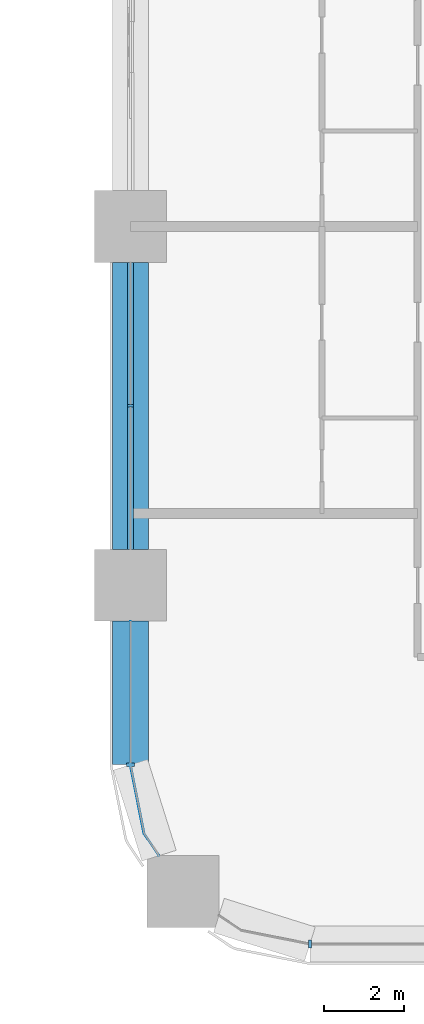
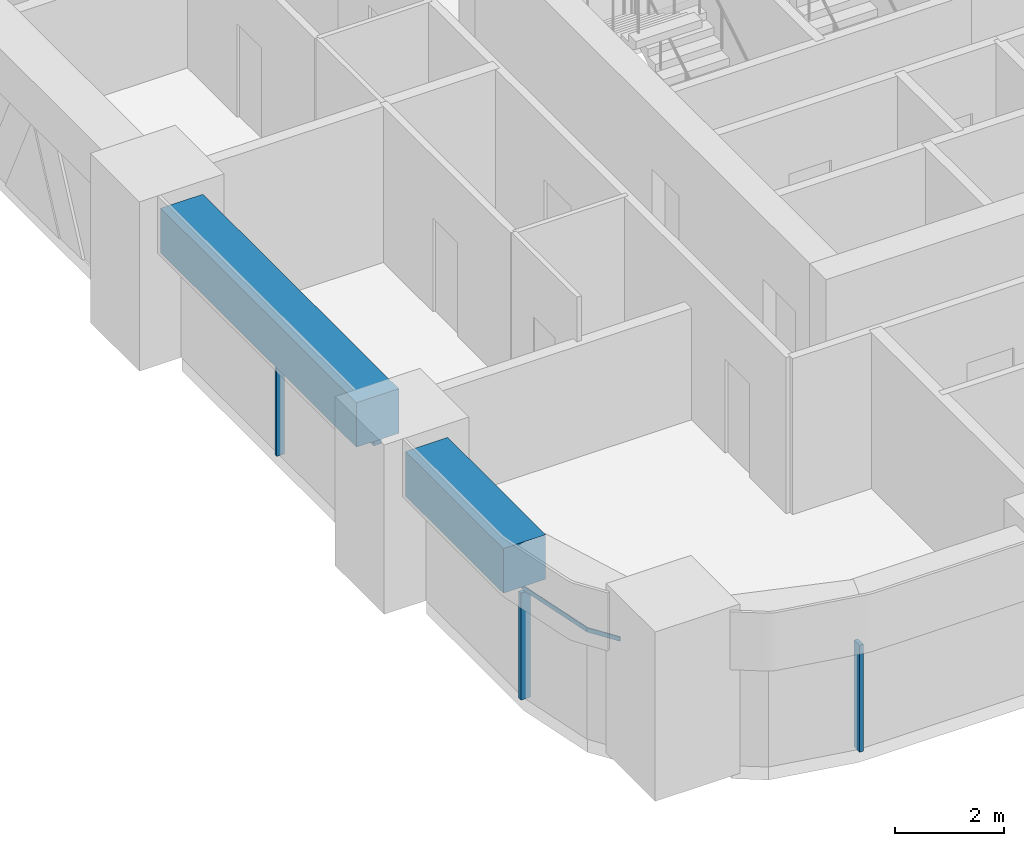
# One storey, part 2 of 24: 5 members, 2 beams, 3 elements without a shape of their own.
"""IFC4 building model written with IfcOpenShell, lengths in metres."""

import ifcopenshell
import ifcopenshell.guid

model = None  # the IFC model being written
_history = None  # IfcOwnerHistory: only IFC2X3 demands one
_inside = {}  # id of a spatial element -> (the spatial element, [elements in it])
_under = {}  # id of a project, library or spatial element -> (it, [spatial elements below it])
_declared = {}  # id of a project -> (the project, [libraries it declares])
_typed = {}  # id of a type object -> (the type object, [elements of that type])
_made_of = {}  # id of a material, layer set ... -> (it, [elements and type objects made of it])


def new_model(schema):
    """Start an empty IFC model of exactly this schema.

    Asked for "IFC4X3", IfcOpenShell would pick the latest addendum, in which some entities
    have other attributes; the version numbers below select the first issue.
    IFC2X3 requires an IfcOwnerHistory on every rooted entity: one is made here for all.
    """
    global model, _history
    if schema == "IFC4X3":
        model = ifcopenshell.file(schema_version=(4, 3, 0, 0))
    else:
        model = ifcopenshell.file(schema=schema)
    _inside.clear()
    _under.clear()
    _declared.clear()
    _typed.clear()
    _made_of.clear()
    _history = None
    if model.schema == "IFC2X3":
        org = make("IfcOrganization", Name="unknown")
        user = make(
            "IfcPersonAndOrganization",
            ThePerson=make("IfcPerson", FamilyName="unknown"),
            TheOrganization=org,
        )
        app = make(
            "IfcApplication",
            ApplicationDeveloper=org,
            Version="unknown",
            ApplicationFullName="unknown",
            ApplicationIdentifier="unknown",
        )
        _history = make(
            "IfcOwnerHistory",
            OwningUser=user,
            OwningApplication=app,
            ChangeAction="ADDED",
            CreationDate=0,
        )
    return model


def make(cls, **values):
    """One entity of the class cls with the attributes given. An attribute that is None is left unset."""
    return model.create_entity(
        cls, **{name: value for name, value in values.items() if value is not None}
    )


def rooted(cls, **values):
    """An entity with a GlobalId (a new one), such as an element, a storey or a relation."""
    return make(cls, GlobalId=ifcopenshell.guid.new(), OwnerHistory=_history, **values)


def si_unit(unit_type, name, prefix=None):
    """IfcSIUnit, for example si_unit("LENGTHUNIT", "METRE", prefix="MILLI")."""
    return make("IfcSIUnit", UnitType=unit_type, Prefix=prefix, Name=name)


def assignment(units):
    """IfcUnitAssignment: the units of a project."""
    return None if units is None else make("IfcUnitAssignment", Units=units)


def point(xyz):
    """IfcCartesianPoint."""
    return None if xyz is None else make("IfcCartesianPoint", Coordinates=xyz)


def direction(xyz):
    """IfcDirection."""
    return None if xyz is None else make("IfcDirection", DirectionRatios=xyz)


def frame(location, z_axis=None, x_axis=None):
    """IfcAxis2Placement3D, a coordinate frame: its origin and axes. An axis left out is left unset."""
    return make(
        "IfcAxis2Placement3D",
        Location=point(location),
        Axis=direction(z_axis),
        RefDirection=direction(x_axis),
    )


def frame_2d(location, x_axis=None):
    """IfcAxis2Placement2D, a coordinate frame in the plane: its origin and x axis."""
    return make(
        "IfcAxis2Placement2D", Location=point(location), RefDirection=direction(x_axis)
    )


def origin():
    """The frame at (0, 0, 0) with its axes left unset."""
    return frame((0.0, 0.0, 0.0))


def origin_2d():
    """The frame at (0, 0) in the plane with its x axis left unset."""
    return frame_2d((0.0, 0.0))


def place(relative_to, where):
    """IfcLocalPlacement: puts the frame where relative to a parent placement (None: the world)."""
    return make(
        "IfcLocalPlacement", PlacementRelTo=relative_to, RelativePlacement=where
    )


def context(
    kind, dimensions, precision=None, world=None, true_north=None, identifier=None
):
    """IfcGeometricRepresentationContext, for example the 3D "Model" context."""
    return make(
        "IfcGeometricRepresentationContext",
        ContextIdentifier=identifier,
        ContextType=kind,
        CoordinateSpaceDimension=dimensions,
        Precision=precision,
        WorldCoordinateSystem=world,
        TrueNorth=true_north,
    )


def subcontext(parent, identifier, kind, view, scale=None):
    """IfcGeometricRepresentationSubContext, for example "Body" below "Model"."""
    return make(
        "IfcGeometricRepresentationSubContext",
        ContextIdentifier=identifier,
        ContextType=kind,
        ParentContext=parent,
        TargetScale=scale,
        TargetView=view,
    )


def project(units=None, contexts=None):
    """IfcProject with its units and contexts."""
    return rooted(
        "IfcProject",
        Name="project",
        RepresentationContexts=contexts,
        UnitsInContext=assignment(units),
    )


def spatial(cls, under=None, at=None, **own):
    """A site, building, storey or space (cls), placed at a placement, below another one or the project."""
    s = rooted(cls, ObjectPlacement=at, **own)
    if under is not None:
        _under.setdefault(under.id(), (under, []))[1].append(s)
    return s


def polyline(points):
    """IfcPolyline through the points."""
    return make("IfcPolyline", Points=[point(p) for p in points])


def profile(cls, at=None, kind="AREA", **sizes):
    """A parametric profile (cls). Its sizes go by their IFC names, for example OverallWidth=200.0."""
    return make(cls, ProfileType=kind, Position=at, **sizes)


def rectangle(**sizes):
    """IfcRectangleProfileDef."""
    return profile("IfcRectangleProfileDef", **sizes)


def outline(outer, holes=None, kind="AREA"):
    """IfcArbitraryClosedProfileDef: a profile drawn as a closed curve; with holes, ...WithVoids."""
    if holes is None:
        return make("IfcArbitraryClosedProfileDef", ProfileType=kind, OuterCurve=outer)
    return make(
        "IfcArbitraryProfileDefWithVoids",
        ProfileType=kind,
        OuterCurve=outer,
        InnerCurves=holes,
    )


def extrude(swept, where, along, depth):
    """IfcExtrudedAreaSolid: the profile swept, set in the frame where, extruded along a direction by depth."""
    return make(
        "IfcExtrudedAreaSolid",
        SweptArea=swept,
        Position=where,
        ExtrudedDirection=direction(along),
        Depth=depth,
    )


def shape(context_of_items, identifier, shape_type, items):
    """IfcShapeRepresentation: the items that make up one representation, for example the "Body"."""
    return make(
        "IfcShapeRepresentation",
        ContextOfItems=context_of_items,
        RepresentationIdentifier=identifier,
        RepresentationType=shape_type,
        Items=items,
    )


def material(Name=None, Category=None):
    """IfcMaterial."""
    return make("IfcMaterial", Name=Name, Category=Category)


def material_profile(
    of_material, cross_section, Name=None, Category=None, Priority=None
):
    """IfcMaterialProfile: a cross section and its material."""
    return make(
        "IfcMaterialProfile",
        Name=Name,
        Material=of_material,
        Profile=cross_section,
        Priority=Priority,
        Category=Category,
    )


def profile_set(profiles, Name=None, composite=None):
    """IfcMaterialProfileSet."""
    return make(
        "IfcMaterialProfileSet",
        Name=Name,
        MaterialProfiles=profiles,
        CompositeProfile=composite,
    )


def made_of(thing, what):
    """Note that an element or type object is made of a material, layer set ...; save() writes the relation."""
    if what is not None:
        _made_of.setdefault(what.id(), (what, []))[1].append(thing)
    return thing


def type_object(cls, material=None, **own):
    """A type object (cls), such as IfcWallType, which elements share."""
    return made_of(rooted(cls, **own), material)


def element(
    cls,
    number,
    at=None,
    inside=None,
    cuts=None,
    type_object=None,
    material=None,
    context=None,
    identifier="Body",
    shape_type=None,
    held_by="IfcProductDefinitionShape",
    body=None,
    shapes=None,
    **own,
):
    """One element of the class cls, such as IfcWall. Its Tag is "e" and its number.

    at: its placement. inside: the storey or other place that contains it. cuts: it is an
    opening in that element (IfcRelVoidsElement). A single representation is given by context,
    identifier, shape_type and body (its items); several are given by shapes. held_by: the class
    of the entity that holds the representations. save() writes the other relations.
    """
    e = rooted(cls, Tag="e%d" % number, ObjectPlacement=at, **own)
    if body is not None:
        shapes = [shape(context, identifier, shape_type, body)]
    if shapes is not None:
        e.Representation = make(held_by, Representations=shapes)
    if inside is not None:
        _inside.setdefault(inside.id(), (inside, []))[1].append(e)
    if cuts is not None:
        rooted(
            "IfcRelVoidsElement", RelatingBuildingElement=cuts, RelatedOpeningElement=e
        )
    if type_object is not None:
        _typed.setdefault(type_object.id(), (type_object, []))[1].append(e)
    return made_of(e, material)


def aggregate(whole, parts):
    """IfcRelAggregates: a whole, such as a stair, and the parts it consists of."""
    return rooted("IfcRelAggregates", RelatingObject=whole, RelatedObjects=parts)


def save(model, path):
    """Write the relations noted so far, then the file.

    IfcRelAggregates (storeys below a building ...), IfcRelContainedInSpatialStructure (elements
    in a storey), IfcRelDefinesByType, IfcRelAssociatesMaterial and IfcRelDeclares: one each for
    every whole, place, type object, material and project.
    """
    for whole, parts in _under.values():
        aggregate(whole, parts)
    for where, things in _inside.values():
        rooted(
            "IfcRelContainedInSpatialStructure",
            RelatedElements=things,
            RelatingStructure=where,
        )
    for kind, things in _typed.values():
        rooted("IfcRelDefinesByType", RelatedObjects=things, RelatingType=kind)
    for what, things in _made_of.values():
        rooted("IfcRelAssociatesMaterial", RelatedObjects=things, RelatingMaterial=what)
    for by, libraries in _declared.values():
        rooted("IfcRelDeclares", RelatingContext=by, RelatedDefinitions=libraries)
    model.write(path)


model = new_model("IFC4")

# Units and contexts
model_context = context("Model", 3, precision=1e-05, world=origin(), true_north=direction((0.0, 1.0)))
body_context = subcontext(model_context, "Body", "Model", "MODEL_VIEW")
ifc_project = project(units=[si_unit("LENGTHUNIT", "METRE"), si_unit("AREAUNIT", "SQUARE_METRE"), si_unit("VOLUMEUNIT", "CUBIC_METRE"), si_unit("PLANEANGLEUNIT", "RADIAN"), si_unit("MASSUNIT", "GRAM", prefix="KILO")], contexts=[model_context])

# Site, building, storey
site_placement = place(None, origin())
site = spatial("IfcSite", under=ifc_project, at=site_placement, CompositionType="ELEMENT")
building_placement = place(site_placement, origin())
building = spatial("IfcBuilding", under=site, at=building_placement, Name="Tessera Arch", CompositionType="ELEMENT")
storey_placement = place(building_placement, frame((0.0, 0.0, 112.0)))
storey = spatial("IfcBuildingStorey", under=building, at=storey_placement, Name="L26", CompositionType="ELEMENT", Elevation=112.0)

# Curtain wall, members
ifc_material_1 = material(Name="CW1 curtain wall")
curtain_wall_type_1 = type_object("IfcCurtainWallType", Name="CW1 curtain wall", PredefinedType="NOTDEFINED", material=ifc_material_1)
curtain_wall_1_placement = place(storey_placement, origin())
curtain_wall_1 = element("IfcCurtainWall", 1, at=curtain_wall_1_placement, inside=storey, type_object=curtain_wall_type_1, Name="CW1 curtain wall W27.0/1 L26", PredefinedType="NOTDEFINED")
ifc_material_2 = material(Name="Anodised aluminium pale metal", Category="aluminium")
ifc_material_profile_1 = material_profile(ifc_material_2, rectangle(XDim=0.159912109375, YDim=0.06005859375, at=origin_2d()), Name="AL 60x160")
ifc_profile_set_1 = profile_set([ifc_material_profile_1], Name="Anodised aluminium pale metal")
member_type_1 = type_object("IfcMemberType", Name="CW1 mullion", PredefinedType="MULLION", material=ifc_profile_set_1)
member_1_placement = place(storey_placement, frame((27.0, 13.5, 0.0), z_axis=(0.0, 0.0, 1.0), x_axis=(1.0, 0.0, 0.0)))
member_1 = element("IfcMember", 2, at=member_1_placement, type_object=member_type_1, Name="CW1 mullion W27.0/1 1", PredefinedType="MULLION", context=body_context, shape_type="SweptSolid", body=[
    extrude(rectangle(XDim=0.159912109375, YDim=0.06005859375, at=origin_2d()), origin(), (0.0, 0.0, 1.0), 2.39990234375),
])
ifc_material_3 = material(Name="Anodised aluminium pale metal", Category="aluminium")
ifc_material_profile_2 = material_profile(ifc_material_3, rectangle(XDim=0.159912109375, YDim=0.10009765625, at=origin_2d()), Name="AL 160x100")
ifc_profile_set_2 = profile_set([ifc_material_profile_2], Name="Anodised aluminium pale metal")
member_type_2 = type_object("IfcMemberType", Name="CW1 transom", PredefinedType="USERDEFINED", material=ifc_profile_set_2)
member_2_placement = place(storey_placement, frame((27.0, 17.10009765625, 2.449951171875), z_axis=(0.0, -1.0, 0.0), x_axis=(1.0, 0.0, 0.0)))
member_2 = element("IfcMember", 3, at=member_2_placement, type_object=member_type_2, Name="CW1 transom W27.0/1 1.1", ObjectType="TRANSOM", PredefinedType="USERDEFINED", context=body_context, shape_type="SweptSolid", body=[
    extrude(rectangle(XDim=0.159912109375, YDim=0.10009765625, at=origin_2d()), origin(), (0.0, 0.0, 1.0), 7.2001953125),
])
aggregate(curtain_wall_1, [member_1, member_2])

# Curtain wall, member
ifc_material_4 = material(Name="CW2 curtain wall")
curtain_wall_type_2 = type_object("IfcCurtainWallType", Name="CW2 curtain wall", PredefinedType="NOTDEFINED", material=ifc_material_4)
curtain_wall_2_placement = place(storey_placement, origin())
curtain_wall_2 = element("IfcCurtainWall", 4, at=curtain_wall_2_placement, inside=storey, type_object=curtain_wall_type_2, Name="CW2 curtain wall W27.0/2 L26", PredefinedType="NOTDEFINED")
ifc_material_5 = material(Name="Anodised aluminium pale metal", Category="aluminium")
ifc_material_profile_3 = material_profile(ifc_material_5, rectangle(XDim=0.199951171875, YDim=0.080078125, at=origin_2d()), Name="AL 80x200")
ifc_profile_set_3 = profile_set([ifc_material_profile_3], Name="Anodised aluminium pale metal")
member_type_3 = type_object("IfcMemberType", Name="CW2 mullion", PredefinedType="MULLION", material=ifc_profile_set_3)
member_3_placement = place(storey_placement, frame((27.0, 4.5, 0.0), z_axis=(0.0, 0.0, 1.0), x_axis=(1.0, 0.0, 0.0)))
member_3 = element("IfcMember", 5, at=member_3_placement, type_object=member_type_3, Name="CW2 mullion W27.0/2 1", PredefinedType="MULLION", context=body_context, shape_type="SweptSolid", body=[
    extrude(rectangle(XDim=0.199951171875, YDim=0.080078125, at=origin_2d()), origin(), (0.0, 0.0, 1.0), 2.39990234375),
])

curtain_wall_3_placement = place(storey_placement, origin())
curtain_wall_3 = element("IfcCurtainWall", 6, at=curtain_wall_3_placement, inside=storey, type_object=curtain_wall_type_2, Name="CW2 curtain wall S0.27/0 L26", PredefinedType="NOTDEFINED")
member_4_placement = place(storey_placement, frame((31.5, 0.0, 0.0), z_axis=(0.0, 0.0, 1.0), x_axis=(0.0, 1.0, 0.0)))
member_4 = element("IfcMember", 7, at=member_4_placement, type_object=member_type_3, Name="CW2 mullion S0.27/0 1", PredefinedType="MULLION", context=body_context, shape_type="SweptSolid", body=[
    extrude(rectangle(XDim=0.199951171875, YDim=0.080078125, at=origin_2d()), origin(), (0.0, 0.0, 1.0), 2.39990234375),
])
aggregate(curtain_wall_3, [member_4])

# Member
ifc_material_6 = material(Name="Anodised aluminium pale metal", Category="aluminium")
ifc_material_profile_4 = material_profile(ifc_material_6, rectangle(XDim=0.199951171875, YDim=0.10009765625, at=origin_2d()), Name="AL 200x100")
ifc_profile_set_4 = profile_set([ifc_material_profile_4], Name="Anodised aluminium pale metal")
member_type_4 = type_object("IfcMemberType", Name="CW2 transom", PredefinedType="USERDEFINED", material=ifc_profile_set_4)
member_5_placement = place(storey_placement, frame((0.0, 0.0, 2.39990234375)))
member_5 = element("IfcMember", 8, at=member_5_placement, type_object=member_type_4, Name="CW2 transom W27.0/2 1", ObjectType="TRANSOM", PredefinedType="USERDEFINED", context=body_context, shape_type="SweptSolid", body=[
    extrude(outline(polyline([(27.010009765625, 4.5009765625), (27.010009765625, 8.10009765625), (26.989990234375, 8.10009765625), (26.989990234375, 4.4990234375), (27.3330078125, 2.77392578125), (27.70849609375, 2.21240234375), (27.72509765625, 2.2236328125), (27.351806640625, 2.78173828125), (27.010009765625, 4.5009765625)])), origin(), (0.0, 0.0, 1.0), 0.10009765625),
])

aggregate(curtain_wall_2, [member_3, member_5])

# Beams
ifc_material_7 = material(Name="Concrete C80/95", Category="concrete")
ifc_material_profile_5 = material_profile(ifc_material_7, rectangle(XDim=0.89990234375, YDim=1.0, at=origin_2d()), Name="RC spandrel beam 900 x 1000 Concrete C80/95")
ifc_profile_set_5 = profile_set([ifc_material_profile_5], Name="Concrete C80/95")
beam_type = type_object("IfcBeamType", Name="RC spandrel beam 900 x 1000 Concrete C80/95", PredefinedType="BEAM", material=ifc_profile_set_5)
beam_1_placement = place(storey_placement, frame((27.0, 17.10009765625, 3.0), z_axis=(0.0, -1.0, 0.0), x_axis=(1.0, 0.0, 0.0)))
element("IfcBeam", 9, at=beam_1_placement, inside=storey, type_object=beam_type, Name="Spandrel beam L26 W27.0/1", PredefinedType="BEAM", context=body_context, shape_type="SweptSolid", body=[
    extrude(rectangle(XDim=0.89990234375, YDim=1.0, at=origin_2d()), origin(), (0.0, 0.0, 1.0), 7.2001953125),
])
beam_2_placement = place(storey_placement, frame((27.0, 8.10009765625, 3.0), z_axis=(0.0, -1.0, 0.0), x_axis=(1.0, 0.0, 0.0)))
element("IfcBeam", 10, at=beam_2_placement, inside=storey, type_object=beam_type, Name="Spandrel beam L26 W27.0/2.1", PredefinedType="BEAM", context=body_context, shape_type="SweptSolid", body=[
    extrude(rectangle(XDim=0.89990234375, YDim=1.0, at=origin_2d()), origin(), (0.0, 0.0, 1.0), 3.60009765625),
])

save(model, "model.ifc")
